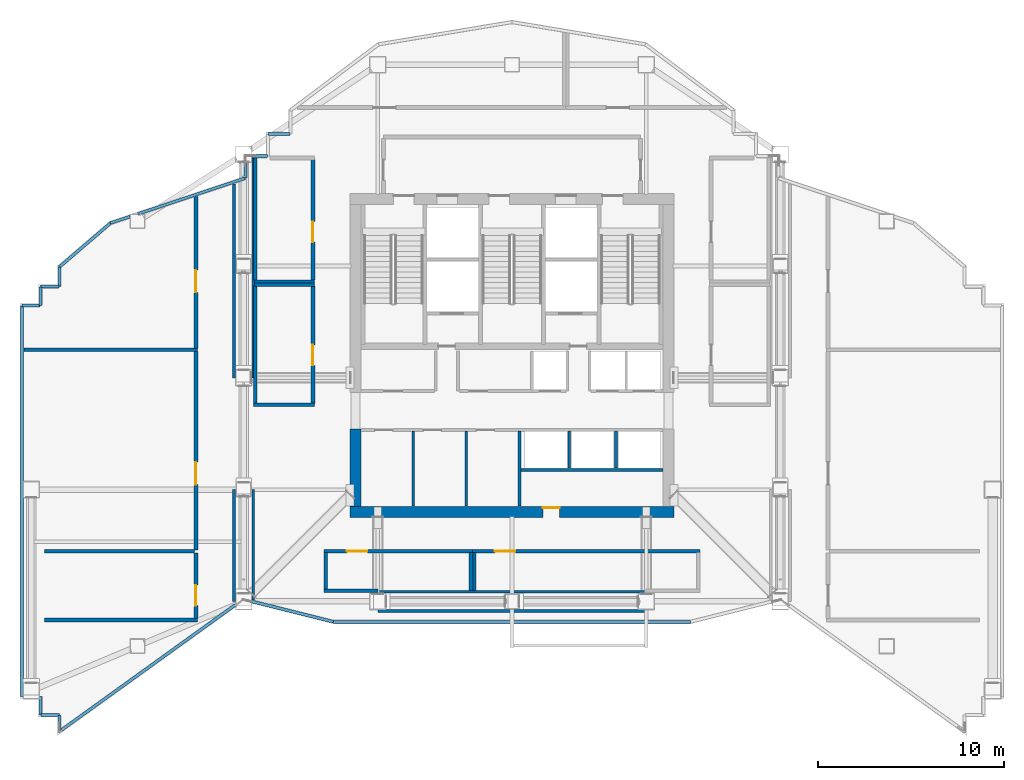
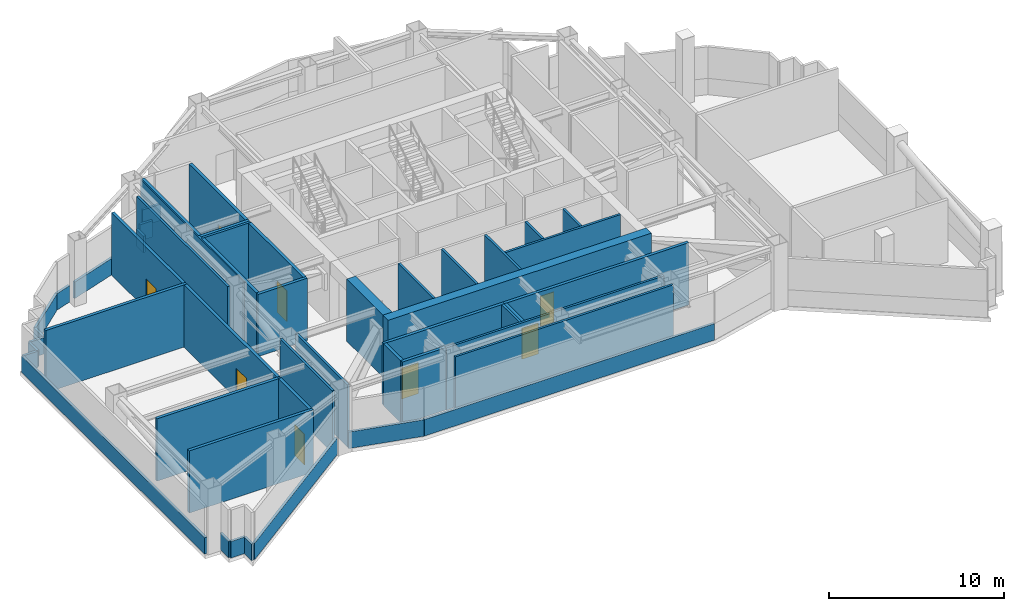
# One storey, part 12 of 19: 50 walls, 8 doors, 8 openings.
"""IFC4 building model written with IfcOpenShell, lengths in metres."""

from ifc_helpers import new_model, si_unit, direction, frame, frame_2d, origin, place, context, subcontext, project, spatial, rectangle, extrude, material, layer, layer_set, type_object, element, fill, save


model = new_model("IFC4")

# Units and contexts
model_context = context("Model", 3, precision=1e-05, world=origin(), true_north=direction((0.0, 1.0)))
body_context = subcontext(model_context, "Body", "Model", "MODEL_VIEW")
ifc_project = project(units=[si_unit("LENGTHUNIT", "METRE"), si_unit("AREAUNIT", "SQUARE_METRE"), si_unit("VOLUMEUNIT", "CUBIC_METRE"), si_unit("PLANEANGLEUNIT", "RADIAN"), si_unit("MASSUNIT", "GRAM", prefix="KILO")], contexts=[model_context])

# Site, building, storey
site_placement = place(None, origin())
site = spatial("IfcSite", under=ifc_project, at=site_placement, CompositionType="ELEMENT")
building_placement = place(site_placement, origin())
building = spatial("IfcBuilding", under=site, at=building_placement, Name="Haolan Belvedere Tower", CompositionType="ELEMENT")
storey_placement = place(building_placement, frame((0.0, 0.0, 230.60009765625)))
storey = spatial("IfcBuildingStorey", under=building, at=storey_placement, Name="L58", CompositionType="ELEMENT", Elevation=230.60009765625)

# Wall, opening, door
ifc_material_1 = material(Name="Concrete C60/75", Category="concrete")
ifc_layer_1 = layer(ifc_material_1, 0.60009765625, Name="Concrete C60/75")
ifc_layer_set_1 = layer_set([ifc_layer_1], Name="Concrete C60/75")
wall_type_1 = type_object("IfcWallType", Name="WL-CORE-600", PredefinedType="SHEAR", material=ifc_layer_set_1)
wall_1_placement = place(storey_placement, frame((29.699951171875, 26.39990234375, 0.0), z_axis=(0.0, 0.0, 1.0), x_axis=(1.0, 0.0, 0.0)))
wall_1 = element("IfcWall", 1, at=wall_1_placement, inside=storey, type_object=wall_type_1, Name="L58 central core south shear wall", PredefinedType="SHEAR", context=body_context, shape_type="SweptSolid", body=[
    extrude(rectangle(XDim=17.400146484375, YDim=0.60009765625, at=frame_2d((8.7001953125, 0.0))), origin(), (0.0, 0.0, 1.0), 4.349853515625),
])
opening_1_placement = place(wall_1_placement, frame((11.25, 0.0, 0.0), z_axis=(0.0, 0.0, 1.0), x_axis=(-1.0, 0.0, 0.0)))
opening_1 = element("IfcOpeningElement", 2, at=opening_1_placement, cuts=wall_1, Name="Opening FD-05", PredefinedType="OPENING", context=body_context, shape_type="SweptSolid", body=[
    extrude(rectangle(XDim=0.89990234375, YDim=2.10009765625, at=frame_2d((0.449951171875, 1.050048828125))), frame((0.0, 0.31005859375, 0.0), z_axis=(0.0, -1.0, 0.0), x_axis=(1.0, 0.0, 0.0)), (0.0, 0.0, 1.0), 0.6201171875),
])
ifc_material_2 = material(Name="Galvanised fire-rated steel", Category="steel")
door_type_1 = type_object("IfcDoorType", Name="DR-FD60-900", OperationType="NOTDEFINED", PredefinedType="DOOR", material=ifc_material_2)
door_1_placement = place(opening_1_placement, origin())
door_1 = element("IfcDoor", 3, at=door_1_placement, inside=storey, type_object=door_type_1, Name="L58 door CD-L58-SCVE", OperationType="SINGLE_SWING_RIGHT", OverallHeight=2.10009765625, OverallWidth=0.89990234375, PredefinedType="DOOR", context=body_context, shape_type="SweptSolid", body=[
    extrude(rectangle(XDim=0.89990234375, YDim=2.10009765625, at=frame_2d((0.449951171875, 1.050048828125))), frame((0.0, -0.19482421875, 0.0), z_axis=(0.0, -1.0, 0.0), x_axis=(1.0, 0.0, 0.0)), (0.0, 0.0, 1.0), 0.050048828125),
])
fill(opening_1, door_1)

# Walls
wall_2_placement = place(storey_placement, frame((30.0, 26.699951171875, 0.0), z_axis=(0.0, 0.0, 1.0), x_axis=(0.0, 1.0, 0.0)))
element("IfcWall", 4, at=wall_2_placement, inside=storey, type_object=wall_type_1, Name="L58 central core shear wall WS", PredefinedType="SHEAR", context=body_context, shape_type="SweptSolid", body=[
    extrude(rectangle(XDim=4.150146484375, YDim=0.60009765625, at=frame_2d((2.0751953125, 0.0))), origin(), (0.0, 0.0, 1.0), 4.349853515625),
])
ifc_material_3 = material(Name="Concrete C40/50", Category="concrete")
ifc_layer_2 = layer(ifc_material_3, 0.199951171875, Name="Concrete C40/50")
ifc_layer_set_2 = layer_set([ifc_layer_2], Name="Concrete C40/50")
wall_type_2 = type_object("IfcWallType", Name="WL-FIRE-200", PredefinedType="SOLIDWALL", material=ifc_layer_set_2)
wall_3_placement = place(storey_placement, frame((12.2119140625, 35.10009765625, 0.0), z_axis=(0.0, 0.0, 1.0), x_axis=(1.0, 0.0, 0.0)))
element("IfcWall", 5, at=wall_3_placement, inside=storey, type_object=wall_type_2, Name="L58 interior partition IW-L58-REF-W1-N", PredefinedType="SOLIDWALL", context=body_context, shape_type="SweptSolid", body=[
    extrude(rectangle(XDim=9.30810546875, YDim=0.199951171875, at=frame_2d((4.654052734375, 0.0))), origin(), (0.0, 0.0, 1.0), 4.349853515625),
])

# Wall, opening, door
wall_4_placement = place(storey_placement, frame((21.43994140625, 24.3701171875, 0.0), z_axis=(0.0, 0.0, 1.0), x_axis=(0.0, 1.0, 0.0)))
wall_4 = element("IfcWall", 6, at=wall_4_placement, inside=storey, type_object=wall_type_2, Name="L58 interior partition IW-L58-REF-W1-E", PredefinedType="SOLIDWALL", context=body_context, shape_type="SweptSolid", body=[
    extrude(rectangle(XDim=10.644775390625, YDim=0.199951171875, at=frame_2d((5.322265625, 0.0))), origin(), (0.0, 0.0, 1.0), 4.349853515625),
])
opening_2_placement = place(wall_4_placement, frame((4.699951171875, 0.0, 0.0), z_axis=(0.0, 0.0, 1.0), x_axis=(-1.0, 0.0, 0.0)))
opening_2 = element("IfcOpeningElement", 7, at=opening_2_placement, cuts=wall_4, Name="Opening FD-02", PredefinedType="OPENING", context=body_context, shape_type="SweptSolid", body=[
    extrude(rectangle(XDim=1.199951171875, YDim=2.14990234375, at=frame_2d((0.60009765625, 1.074951171875))), frame((0.0, 0.10986328125, 0.0), z_axis=(0.0, -1.0, 0.0), x_axis=(1.0, 0.0, 0.0)), (0.0, 0.0, 1.0), 0.219970703125),
])
door_type_2 = type_object("IfcDoorType", Name="DR-FD90-1200", OperationType="NOTDEFINED", PredefinedType="DOOR", material=ifc_material_2)
door_2_placement = place(opening_2_placement, origin())
door_2 = element("IfcDoor", 8, at=door_2_placement, inside=storey, type_object=door_type_2, Name="L58 door ID-L58-REF-W1", OperationType="SINGLE_SWING_LEFT", OverallHeight=2.14990234375, OverallWidth=1.199951171875, PredefinedType="DOOR", context=body_context, shape_type="SweptSolid", body=[
    extrude(rectangle(XDim=1.199951171875, YDim=2.14990234375, at=frame_2d((0.60009765625, 1.074951171875))), frame((0.0, 0.02490234375, 0.0), z_axis=(0.0, -1.0, 0.0), x_axis=(1.0, 0.0, 0.0)), (0.0, 0.0, 1.0), 0.050048828125),
])
fill(opening_2, door_2)

wall_5_placement = place(storey_placement, frame((21.43994140625, 35.18505859375, 0.0), z_axis=(0.0, 0.0, 1.0), x_axis=(0.0, 1.0, 0.0)))
wall_5 = element("IfcWall", 9, at=wall_5_placement, inside=storey, type_object=wall_type_2, Name="L58 interior partition IW-L58-REF-W2-E", PredefinedType="SOLIDWALL", context=body_context, shape_type="SweptSolid", body=[
    extrude(rectangle(XDim=8.13818359375, YDim=0.199951171875, at=frame_2d((4.069091796875, 0.0))), origin(), (0.0, 0.0, 1.0), 4.349853515625),
])
opening_3_placement = place(wall_5_placement, frame((4.195068359375, 0.0, 0.0), z_axis=(0.0, 0.0, 1.0), x_axis=(-1.0, 0.0, 0.0)))
opening_3 = element("IfcOpeningElement", 10, at=opening_3_placement, cuts=wall_5, Name="Opening FD-02", PredefinedType="OPENING", context=body_context, shape_type="SweptSolid", body=[
    extrude(rectangle(XDim=1.199951171875, YDim=2.14990234375, at=frame_2d((0.60009765625, 1.074951171875))), frame((0.0, 0.10986328125, 0.0), z_axis=(0.0, -1.0, 0.0), x_axis=(1.0, 0.0, 0.0)), (0.0, 0.0, 1.0), 0.219970703125),
])
door_3_placement = place(opening_3_placement, origin())
door_3 = element("IfcDoor", 11, at=door_3_placement, inside=storey, type_object=door_type_2, Name="L58 door ID-L58-REF-W2", OperationType="SINGLE_SWING_RIGHT", OverallHeight=2.14990234375, OverallWidth=1.199951171875, PredefinedType="DOOR", context=body_context, shape_type="SweptSolid", body=[
    extrude(rectangle(XDim=1.199951171875, YDim=2.14990234375, at=frame_2d((0.60009765625, 1.074951171875))), frame((0.0, 0.02490234375, 0.0), z_axis=(0.0, -1.0, 0.0), x_axis=(1.0, 0.0, 0.0)), (0.0, 0.0, 1.0), 0.050048828125),
])
fill(opening_3, door_3)

# Walls
wall_6_placement = place(storey_placement, frame((24.580078125, 38.60009765625, 0.0), z_axis=(0.0, 0.0, 1.0), x_axis=(1.0, 0.0, 0.0)))
element("IfcWall", 12, at=wall_6_placement, inside=storey, type_object=wall_type_2, Name="L58 interior partition IW-L58-REF-WI1-N", PredefinedType="SOLIDWALL", context=body_context, shape_type="SweptSolid", body=[
    extrude(rectangle(XDim=3.219970703125, YDim=0.199951171875, at=frame_2d((1.60986328125, 0.0))), origin(), (0.0, 0.0, 1.0), 4.349853515625),
])
wall_7_placement = place(storey_placement, frame((24.5400390625, 32.14990234375, 0.0), z_axis=(0.0, 0.0, 1.0), x_axis=(1.0, 0.0, 0.0)))
element("IfcWall", 13, at=wall_7_placement, inside=storey, type_object=wall_type_2, Name="L58 interior partition IW-L58-REF-WI1-S", PredefinedType="SOLIDWALL", context=body_context, shape_type="SweptSolid", body=[
    extrude(rectangle(XDim=3.260009765625, YDim=0.199951171875, at=frame_2d((1.6298828125, 0.0))), origin(), (0.0, 0.0, 1.0), 4.349853515625),
])
wall_8_placement = place(storey_placement, frame((24.6201171875, 32.235107421875, 0.0), z_axis=(0.0, 0.0, 1.0), x_axis=(0.0, 1.0, 0.0)))
element("IfcWall", 14, at=wall_8_placement, inside=storey, type_object=wall_type_2, Name="L58 interior partition IW-L58-REF-WI1-W", PredefinedType="SOLIDWALL", context=body_context, shape_type="SweptSolid", body=[
    extrude(rectangle(XDim=6.27978515625, YDim=0.199951171875, at=frame_2d((3.139892578125, 0.0))), origin(), (0.0, 0.0, 1.0), 4.349853515625),
])

# Wall, opening, door
wall_9_placement = place(storey_placement, frame((27.719970703125, 32.235107421875, 0.0), z_axis=(0.0, 0.0, 1.0), x_axis=(0.0, 1.0, 0.0)))
wall_9 = element("IfcWall", 15, at=wall_9_placement, inside=storey, type_object=wall_type_2, Name="L58 interior partition IW-L58-REF-WI1-E", PredefinedType="SOLIDWALL", context=body_context, shape_type="SweptSolid", body=[
    extrude(rectangle(XDim=6.27978515625, YDim=0.199951171875, at=frame_2d((3.139892578125, 0.0))), origin(), (0.0, 0.0, 1.0), 4.349853515625),
])
opening_4_placement = place(wall_9_placement, frame((3.135009765625, 0.0, 0.0), z_axis=(0.0, 0.0, 1.0), x_axis=(-1.0, 0.0, 0.0)))
opening_4 = element("IfcOpeningElement", 16, at=opening_4_placement, cuts=wall_9, Name="Opening FD-03", PredefinedType="OPENING", context=body_context, shape_type="SweptSolid", body=[
    extrude(rectangle(XDim=1.10009765625, YDim=2.14990234375, at=frame_2d((0.550048828125, 1.074951171875))), frame((0.0, 0.10986328125, 0.0), z_axis=(0.0, -1.0, 0.0), x_axis=(1.0, 0.0, 0.0)), (0.0, 0.0, 1.0), 0.219970703125),
])
door_type_3 = type_object("IfcDoorType", Name="DR-FD90-1100", OperationType="NOTDEFINED", PredefinedType="DOOR", material=ifc_material_2)
door_4_placement = place(opening_4_placement, origin())
door_4 = element("IfcDoor", 17, at=door_4_placement, inside=storey, type_object=door_type_3, Name="L58 door ID-L58-REF-WI1", OperationType="SINGLE_SWING_LEFT", OverallHeight=2.14990234375, OverallWidth=1.10009765625, PredefinedType="DOOR", context=body_context, shape_type="SweptSolid", body=[
    extrude(rectangle(XDim=1.10009765625, YDim=2.14990234375, at=frame_2d((0.550048828125, 1.074951171875))), frame((0.0, 0.02490234375, 0.0), z_axis=(0.0, -1.0, 0.0), x_axis=(1.0, 0.0, 0.0)), (0.0, 0.0, 1.0), 0.050048828125),
])
fill(opening_4, door_4)

# Walls
wall_10_placement = place(storey_placement, frame((24.580078125, 38.760009765625, 0.0), z_axis=(0.0, 0.0, 1.0), x_axis=(1.0, 0.0, 0.0)))
element("IfcWall", 18, at=wall_10_placement, inside=storey, type_object=wall_type_2, Name="L58 interior partition IW-L58-REF-WI2-S", PredefinedType="SOLIDWALL", context=body_context, shape_type="SweptSolid", body=[
    extrude(rectangle(XDim=3.219970703125, YDim=0.199951171875, at=frame_2d((1.60986328125, 0.0))), origin(), (0.0, 0.0, 1.0), 4.349853515625),
])
wall_11_placement = place(storey_placement, frame((24.6201171875, 38.844970703125, 0.0), z_axis=(0.0, 0.0, 1.0), x_axis=(0.0, 1.0, 0.0)))
element("IfcWall", 19, at=wall_11_placement, inside=storey, type_object=wall_type_2, Name="L58 interior partition IW-L58-REF-WI2-W", PredefinedType="SOLIDWALL", context=body_context, shape_type="SweptSolid", body=[
    extrude(rectangle(XDim=6.54296875, YDim=0.199951171875, at=frame_2d((3.271484375, 0.0))), origin(), (0.0, 0.0, 1.0), 4.349853515625),
])

# Wall, opening, door
wall_12_placement = place(storey_placement, frame((27.719970703125, 38.844970703125, 0.0), z_axis=(0.0, 0.0, 1.0), x_axis=(0.0, 1.0, 0.0)))
wall_12 = element("IfcWall", 20, at=wall_12_placement, inside=storey, type_object=wall_type_2, Name="L58 interior partition IW-L58-REF-WI2-E", PredefinedType="SOLIDWALL", context=body_context, shape_type="SweptSolid", body=[
    extrude(rectangle(XDim=6.469970703125, YDim=0.199951171875, at=frame_2d((3.23486328125, 0.0))), origin(), (0.0, 0.0, 1.0), 4.349853515625),
])
opening_5_placement = place(wall_12_placement, frame((3.135009765625, 0.0, 0.0), z_axis=(0.0, 0.0, 1.0), x_axis=(-1.0, 0.0, 0.0)))
opening_5 = element("IfcOpeningElement", 21, at=opening_5_placement, cuts=wall_12, Name="Opening FD-03", PredefinedType="OPENING", context=body_context, shape_type="SweptSolid", body=[
    extrude(rectangle(XDim=1.10009765625, YDim=2.14990234375, at=frame_2d((0.550048828125, 1.074951171875))), frame((0.0, 0.10986328125, 0.0), z_axis=(0.0, -1.0, 0.0), x_axis=(1.0, 0.0, 0.0)), (0.0, 0.0, 1.0), 0.219970703125),
])
door_5_placement = place(opening_5_placement, origin())
door_5 = element("IfcDoor", 22, at=door_5_placement, inside=storey, type_object=door_type_3, Name="L58 door ID-L58-REF-WI2", OperationType="SINGLE_SWING_RIGHT", OverallHeight=2.14990234375, OverallWidth=1.10009765625, PredefinedType="DOOR", context=body_context, shape_type="SweptSolid", body=[
    extrude(rectangle(XDim=1.10009765625, YDim=2.14990234375, at=frame_2d((0.550048828125, 1.074951171875))), frame((0.0, 0.02490234375, 0.0), z_axis=(0.0, -1.0, 0.0), x_axis=(1.0, 0.0, 0.0)), (0.0, 0.0, 1.0), 0.050048828125),
])
fill(opening_5, door_5)

wall_13_placement = place(storey_placement, frame((28.320068359375, 24.300048828125, 0.0), z_axis=(0.0, 0.0, 1.0), x_axis=(1.0, 0.0, 0.0)))
wall_13 = element("IfcWall", 23, at=wall_13_placement, inside=storey, type_object=wall_type_2, Name="L58 interior partition IW-L58-PLT-AHU-N", PredefinedType="SOLIDWALL", context=body_context, shape_type="SweptSolid", body=[
    extrude(rectangle(XDim=7.9599609375, YDim=0.199951171875, at=frame_2d((3.97998046875, 0.0))), origin(), (0.0, 0.0, 1.0), 4.349853515625),
])
opening_6_placement = place(wall_13_placement, frame((2.320556640625, 0.0, 0.0), z_axis=(0.0, 0.0, 1.0), x_axis=(-1.0, 0.0, 0.0)))
opening_6 = element("IfcOpeningElement", 24, at=opening_6_placement, cuts=wall_13, Name="Opening FD-03", PredefinedType="OPENING", context=body_context, shape_type="SweptSolid", body=[
    extrude(rectangle(XDim=1.10009765625, YDim=2.14990234375, at=frame_2d((0.550048828125, 1.074951171875))), frame((0.0, 0.10986328125, 0.0), z_axis=(0.0, -1.0, 0.0), x_axis=(1.0, 0.0, 0.0)), (0.0, 0.0, 1.0), 0.219970703125),
])
door_6_placement = place(opening_6_placement, origin())
door_6 = element("IfcDoor", 25, at=door_6_placement, inside=storey, type_object=door_type_3, Name="L58 door ID-L58-PLT-AHU", OperationType="SINGLE_SWING_LEFT", OverallHeight=2.14990234375, OverallWidth=1.10009765625, PredefinedType="DOOR", context=body_context, shape_type="SweptSolid", body=[
    extrude(rectangle(XDim=1.10009765625, YDim=2.14990234375, at=frame_2d((0.550048828125, 1.074951171875))), frame((0.0, 0.02490234375, 0.0), z_axis=(0.0, -1.0, 0.0), x_axis=(1.0, 0.0, 0.0)), (0.0, 0.0, 1.0), 0.050048828125),
])
fill(opening_6, door_6)

# Walls
wall_14_placement = place(storey_placement, frame((28.320068359375, 22.179931640625, 0.0), z_axis=(0.0, 0.0, 1.0), x_axis=(1.0, 0.0, 0.0)))
element("IfcWall", 26, at=wall_14_placement, inside=storey, type_object=wall_type_2, Name="L58 interior partition IW-L58-PLT-AHU-S", PredefinedType="SOLIDWALL", context=body_context, shape_type="SweptSolid", body=[
    extrude(rectangle(XDim=2.8779296875, YDim=0.199951171875, at=frame_2d((1.43896484375, 0.0))), origin(), (0.0, 0.0, 1.0), 4.349853515625),
])
wall_15_placement = place(storey_placement, frame((28.39990234375, 22.264892578125, 0.0), z_axis=(0.0, 0.0, 1.0), x_axis=(0.0, 1.0, 0.0)))
element("IfcWall", 27, at=wall_15_placement, inside=storey, type_object=wall_type_2, Name="L58 interior partition IW-L58-PLT-AHU-W", PredefinedType="SOLIDWALL", context=body_context, shape_type="SweptSolid", body=[
    extrude(rectangle(XDim=1.9501953125, YDim=0.199951171875, at=frame_2d((0.97509765625, 0.0))), origin(), (0.0, 0.0, 1.0), 4.349853515625),
])
wall_16_placement = place(storey_placement, frame((36.199951171875, 22.179931640625, 0.0), z_axis=(0.0, 0.0, 1.0), x_axis=(0.0, 1.0, 0.0)))
element("IfcWall", 28, at=wall_16_placement, inside=storey, type_object=wall_type_2, Name="L58 interior partition IW-L58-PLT-AHU-E", PredefinedType="SOLIDWALL", context=body_context, shape_type="SweptSolid", body=[
    extrude(rectangle(XDim=2.03515625, YDim=0.199951171875, at=frame_2d((1.017578125, 0.0))), origin(), (0.0, 0.0, 1.0), 4.349853515625),
])

# Wall, opening, door
wall_17_placement = place(storey_placement, frame((36.284912109375, 24.300048828125, 0.0), z_axis=(0.0, 0.0, 1.0), x_axis=(1.0, 0.0, 0.0)))
wall_17 = element("IfcWall", 29, at=wall_17_placement, inside=storey, type_object=wall_type_2, Name="L58 interior partition IW-L58-PLT-CHW-N", PredefinedType="SOLIDWALL", context=body_context, shape_type="SweptSolid", body=[
    extrude(rectangle(XDim=12.195068359375, YDim=0.199951171875, at=frame_2d((6.09765625, 0.0))), origin(), (0.0, 0.0, 1.0), 4.349853515625),
])
opening_7_placement = place(wall_17_placement, frame((2.295166015625, 0.0, 0.0), z_axis=(0.0, 0.0, 1.0), x_axis=(-1.0, 0.0, 0.0)))
opening_7 = element("IfcOpeningElement", 30, at=opening_7_placement, cuts=wall_17, Name="Opening FD-03", PredefinedType="OPENING", context=body_context, shape_type="SweptSolid", body=[
    extrude(rectangle(XDim=1.10009765625, YDim=2.14990234375, at=frame_2d((0.550048828125, 1.074951171875))), frame((0.0, 0.10986328125, 0.0), z_axis=(0.0, -1.0, 0.0), x_axis=(1.0, 0.0, 0.0)), (0.0, 0.0, 1.0), 0.219970703125),
])
door_7_placement = place(opening_7_placement, origin())
door_7 = element("IfcDoor", 31, at=door_7_placement, inside=storey, type_object=door_type_3, Name="L58 door ID-L58-PLT-CHW", OperationType="SINGLE_SWING_RIGHT", OverallHeight=2.14990234375, OverallWidth=1.10009765625, PredefinedType="DOOR", context=body_context, shape_type="SweptSolid", body=[
    extrude(rectangle(XDim=1.10009765625, YDim=2.14990234375, at=frame_2d((0.550048828125, 1.074951171875))), frame((0.0, 0.02490234375, 0.0), z_axis=(0.0, -1.0, 0.0), x_axis=(1.0, 0.0, 0.0)), (0.0, 0.0, 1.0), 0.050048828125),
])
fill(opening_7, door_7)

# Walls
wall_18_placement = place(storey_placement, frame((36.360107421875, 22.179931640625, 0.0), z_axis=(0.0, 0.0, 1.0), x_axis=(0.0, 1.0, 0.0)))
element("IfcWall", 32, at=wall_18_placement, inside=storey, type_object=wall_type_2, Name="L58 interior partition IW-L58-PLT-CHW-W", PredefinedType="SOLIDWALL", context=body_context, shape_type="SweptSolid", body=[
    extrude(rectangle(XDim=2.03515625, YDim=0.199951171875, at=frame_2d((1.017578125, 0.0))), origin(), (0.0, 0.0, 1.0), 4.349853515625),
])
wall_19_placement = place(storey_placement, frame((13.320068359375, 24.2900390625, 0.0), z_axis=(0.0, 0.0, 1.0), x_axis=(1.0, 0.0, 0.0)))
element("IfcWall", 33, at=wall_19_placement, inside=storey, type_object=wall_type_2, Name="L58 interior partition IW-L58-PLT-SUB-N", PredefinedType="SOLIDWALL", context=body_context, shape_type="SweptSolid", body=[
    extrude(rectangle(XDim=8.034912109375, YDim=0.199951171875, at=frame_2d((4.017578125, 0.0))), origin(), (0.0, 0.0, 1.0), 4.349853515625),
])
wall_20_placement = place(storey_placement, frame((13.320068359375, 20.60009765625, 0.0), z_axis=(0.0, 0.0, 1.0), x_axis=(1.0, 0.0, 0.0)))
element("IfcWall", 34, at=wall_20_placement, inside=storey, type_object=wall_type_2, Name="L58 interior partition IW-L58-PLT-SUB-S", PredefinedType="SOLIDWALL", context=body_context, shape_type="SweptSolid", body=[
    extrude(rectangle(XDim=8.199951171875, YDim=0.199951171875, at=frame_2d((4.10009765625, 0.0))), origin(), (0.0, 0.0, 1.0), 4.349853515625),
])

# Wall, opening, door
wall_21_placement = place(storey_placement, frame((21.43994140625, 20.68505859375, 0.0), z_axis=(0.0, 0.0, 1.0), x_axis=(0.0, 1.0, 0.0)))
wall_21 = element("IfcWall", 35, at=wall_21_placement, inside=storey, type_object=wall_type_2, Name="L58 interior partition IW-L58-PLT-SUB-E", PredefinedType="SOLIDWALL", context=body_context, shape_type="SweptSolid", body=[
    extrude(rectangle(XDim=3.52001953125, YDim=0.199951171875, at=frame_2d((1.760009765625, 0.0))), origin(), (0.0, 0.0, 1.0), 4.349853515625),
])
opening_8_placement = place(wall_21_placement, frame((1.78515625, 0.0, 0.0), z_axis=(0.0, 0.0, 1.0), x_axis=(-1.0, 0.0, 0.0)))
opening_8 = element("IfcOpeningElement", 36, at=opening_8_placement, cuts=wall_21, Name="Opening FD-03", PredefinedType="OPENING", context=body_context, shape_type="SweptSolid", body=[
    extrude(rectangle(XDim=1.10009765625, YDim=2.14990234375, at=frame_2d((0.550048828125, 1.074951171875))), frame((0.0, 0.10986328125, 0.0), z_axis=(0.0, -1.0, 0.0), x_axis=(1.0, 0.0, 0.0)), (0.0, 0.0, 1.0), 0.219970703125),
])
door_8_placement = place(opening_8_placement, origin())
door_8 = element("IfcDoor", 37, at=door_8_placement, inside=storey, type_object=door_type_3, Name="L58 door ID-L58-PLT-SUB", OperationType="SINGLE_SWING_RIGHT", OverallHeight=2.14990234375, OverallWidth=1.10009765625, PredefinedType="DOOR", context=body_context, shape_type="SweptSolid", body=[
    extrude(rectangle(XDim=1.10009765625, YDim=2.14990234375, at=frame_2d((0.550048828125, 1.074951171875))), frame((0.0, 0.02490234375, 0.0), z_axis=(0.0, -1.0, 0.0), x_axis=(1.0, 0.0, 0.0)), (0.0, 0.0, 1.0), 0.050048828125),
])
fill(opening_8, door_8)

# Walls
ifc_material_4 = material(Name="Precast concrete C40/50", Category="concrete")
ifc_layer_3 = layer(ifc_material_4, 0.159912109375, Name="Precast concrete C40/50")
ifc_layer_set_3 = layer_set([ifc_layer_3], Name="Precast concrete C40/50")
wall_type_3 = type_object("IfcWallType", Name="WL-PAR-160", PredefinedType="PARAPET", material=ifc_layer_set_3)
wall_22_placement = place(storey_placement, frame((28.8134765625, 20.510009765625, 0.0), z_axis=(0.0, 0.0, 1.0), x_axis=(1.0, 0.0, 0.0)))
element("IfcWall", 38, at=wall_22_placement, inside=storey, type_object=wall_type_3, Name="L58 refuge open-band parapet 1.1", PredefinedType="PARAPET", context=body_context, shape_type="SweptSolid", body=[
    extrude(rectangle(XDim=19.173095703125, YDim=0.159912109375, at=frame_2d((9.58642578125, 0.0))), origin(), (0.0, 0.0, 1.0), 1.14990234375),
])
wall_23_placement = place(storey_placement, frame((26.47998046875, 46.68994140625, 0.0), z_axis=(0.0, 0.0, 1.0), x_axis=(-1.0, 0.0, 0.0)))
element("IfcWall", 39, at=wall_23_placement, inside=storey, type_object=wall_type_3, Name="L58 refuge open-band parapet 25.1", PredefinedType="PARAPET", context=body_context, shape_type="SweptSolid", body=[
    extrude(rectangle(XDim=1.169921875, YDim=0.159912109375, at=frame_2d((0.5849609375, 0.0))), origin(), (0.0, 0.0, 1.0), 1.14990234375),
])
wall_24_placement = place(storey_placement, frame((25.280029296875, 45.489990234375, 0.0), z_axis=(0.0, 0.0, 1.0), x_axis=(-1.0, 0.0, 0.0)))
element("IfcWall", 40, at=wall_24_placement, inside=storey, type_object=wall_type_3, Name="L58 refuge open-band parapet 27.1", PredefinedType="PARAPET", context=body_context, shape_type="SweptSolid", body=[
    extrude(rectangle(XDim=0.838134765625, YDim=0.159912109375, at=frame_2d((0.4189453125, 0.0))), origin(), (0.0, 0.0, 1.0), 1.14990234375),
])
wall_25_placement = place(storey_placement, frame((24.110107421875, 45.157958984375, 0.0), z_axis=(0.0, 0.0, 1.0), x_axis=(0.0, -1.0, 0.0)))
element("IfcWall", 41, at=wall_25_placement, inside=storey, type_object=wall_type_3, Name="L58 refuge open-band parapet 28.1", PredefinedType="PARAPET", context=body_context, shape_type="SweptSolid", body=[
    extrude(rectangle(XDim=0.837158203125, YDim=0.159912109375, at=frame_2d((0.41845703125, 0.0))), origin(), (0.0, 0.0, 1.0), 1.14990234375),
])
wall_26_placement = place(storey_placement, frame((24.08154296875, 44.311279296875, 0.0), z_axis=(0.0, 0.0, 1.0), x_axis=(-0.948687320562, -0.316215698225, 0.0)))
element("IfcWall", 42, at=wall_26_placement, inside=storey, type_object=wall_type_3, Name="L58 refuge open-band parapet 29.1", PredefinedType="PARAPET", context=body_context, shape_type="SweptSolid", body=[
    extrude(rectangle(XDim=6.0693359375, YDim=0.159912109375, at=frame_2d((3.03466796875, 0.0))), origin(), (0.0, 0.0, 1.0), 1.14990234375),
])
wall_27_placement = place(storey_placement, frame((17.907958984375, 42.25341796875, 0.0), z_axis=(0.0, 0.0, 1.0), x_axis=(-0.948705297269, -0.316161760709, 0.0)))
element("IfcWall", 43, at=wall_27_placement, inside=storey, type_object=wall_type_3, Name="L58 refuge open-band parapet 29.2", PredefinedType="PARAPET", context=body_context, shape_type="SweptSolid", body=[
    extrude(rectangle(XDim=1.109619140625, YDim=0.159912109375, at=frame_2d((0.5546875, 0.0))), origin(), (0.0, 0.0, 1.0), 1.14990234375),
])
wall_28_placement = place(storey_placement, frame((16.855224609375, 41.902587890625, 0.0), z_axis=(0.0, 0.0, 1.0), x_axis=(-0.759213704594, -0.650841417518, 0.0)))
element("IfcWall", 44, at=wall_28_placement, inside=storey, type_object=wall_type_3, Name="L58 refuge open-band parapet 30.1", PredefinedType="PARAPET", context=body_context, shape_type="SweptSolid", body=[
    extrude(rectangle(XDim=3.61572265625, YDim=0.159912109375, at=frame_2d((1.807861328125, 0.0))), origin(), (0.0, 0.0, 1.0), 1.14990234375),
])
wall_29_placement = place(storey_placement, frame((14.110107421875, 39.54931640625, 0.0), z_axis=(0.0, 0.0, 1.0), x_axis=(0.0, -1.0, 0.0)))
element("IfcWall", 45, at=wall_29_placement, inside=storey, type_object=wall_type_3, Name="L58 refuge open-band parapet 31.1", PredefinedType="PARAPET", context=body_context, shape_type="SweptSolid", body=[
    extrude(rectangle(XDim=1.059326171875, YDim=0.159912109375, at=frame_2d((0.52978515625, 0.0))), origin(), (0.0, 0.0, 1.0), 1.14990234375),
])
for number, where, z_axis, x_axis, name in (
    (46, (14.080078125, 38.489990234375, 0.0), (0.0, 0.0, 1.0), (-1.0, 0.0, 0.0), "L58 refuge open-band parapet 32.1"),
    (47, (13.110107421875, 38.4599609375, 0.0), (0.0, 0.0, 1.0), (0.0, -1.0, 0.0), "L58 refuge open-band parapet 33.1"),
    (48, (13.080078125, 37.489990234375, 0.0), (0.0, 0.0, 1.0), (-1.0, 0.0, 0.0), "L58 refuge open-band parapet 34.1"),
):
    element("IfcWall", number, at=place(storey_placement, frame(where, z_axis=z_axis, x_axis=x_axis)), inside=storey, type_object=wall_type_3, Name=name, PredefinedType="PARAPET", context=body_context, shape_type="SweptSolid", body=[
        extrude(rectangle(XDim=0.969970703125, YDim=0.159912109375, at=frame_2d((0.48486328125, 0.0))), origin(), (0.0, 0.0, 1.0), 1.14990234375),
    ])
wall_30_placement = place(storey_placement, frame((12.110107421875, 37.4599609375, 0.0), z_axis=(0.0, 0.0, 1.0), x_axis=(0.0, -1.0, 0.0)))
element("IfcWall", 49, at=wall_30_placement, inside=storey, type_object=wall_type_3, Name="L58 refuge open-band parapet 35.1", PredefinedType="PARAPET", context=body_context, shape_type="SweptSolid", body=[
    extrude(rectangle(XDim=20.949951171875, YDim=0.159912109375, at=frame_2d((10.47509765625, 0.0))), origin(), (0.0, 0.0, 1.0), 1.14990234375),
])
wall_31_placement = place(storey_placement, frame((13.110107421875, 16.510009765625, 0.0), z_axis=(0.0, 0.0, 1.0), x_axis=(0.0, -1.0, 0.0)))
element("IfcWall", 50, at=wall_31_placement, inside=storey, type_object=wall_type_3, Name="L58 refuge open-band parapet 37.1", PredefinedType="PARAPET", context=body_context, shape_type="SweptSolid", body=[
    extrude(rectangle(XDim=1.0, YDim=0.159912109375, at=frame_2d((0.5, 0.0))), origin(), (0.0, 0.0, 1.0), 1.14990234375),
])
wall_32_placement = place(storey_placement, frame((13.139892578125, 15.510009765625, 0.0), z_axis=(0.0, 0.0, 1.0), x_axis=(1.0, 0.0, 0.0)))
element("IfcWall", 51, at=wall_32_placement, inside=storey, type_object=wall_type_3, Name="L58 refuge open-band parapet 38.1", PredefinedType="PARAPET", context=body_context, shape_type="SweptSolid", body=[
    extrude(rectangle(XDim=0.97021484375, YDim=0.159912109375, at=frame_2d((0.485107421875, 0.0))), origin(), (0.0, 0.0, 1.0), 1.14990234375),
])
wall_33_placement = place(storey_placement, frame((14.110107421875, 15.47998046875, 0.0), z_axis=(0.0, 0.0, 1.0), x_axis=(0.0, -1.0, 0.0)))
element("IfcWall", 52, at=wall_33_placement, inside=storey, type_object=wall_type_3, Name="L58 refuge open-band parapet 39.1", PredefinedType="PARAPET", context=body_context, shape_type="SweptSolid", body=[
    extrude(rectangle(XDim=0.865234375, YDim=0.159912109375, at=frame_2d((0.4326171875, 0.0))), origin(), (0.0, 0.0, 1.0), 1.14990234375),
])
wall_34_placement = place(storey_placement, frame((14.18310546875, 14.667236328125, 0.0), z_axis=(0.0, 0.0, 1.0), x_axis=(0.811534341451, 0.584304725845, 0.0)))
element("IfcWall", 53, at=wall_34_placement, inside=storey, type_object=wall_type_3, Name="L58 refuge open-band parapet 40.1", PredefinedType="PARAPET", context=body_context, shape_type="SweptSolid", body=[
    extrude(rectangle(XDim=11.55224609375, YDim=0.159912109375, at=frame_2d((5.776123046875, 0.0))), origin(), (0.0, 0.0, 1.0), 1.14990234375),
])
wall_35_placement = place(storey_placement, frame((24.44189453125, 21.602783203125, 0.0), z_axis=(0.0, 0.0, 1.0), x_axis=(0.97014887394, -0.242510128435, 0.0)))
element("IfcWall", 54, at=wall_35_placement, inside=storey, type_object=wall_type_3, Name="L58 refuge open-band parapet 41.1", PredefinedType="PARAPET", context=body_context, shape_type="SweptSolid", body=[
    extrude(rectangle(XDim=4.506103515625, YDim=0.159912109375, at=frame_2d((2.2529296875, 0.0))), origin(), (0.0, 0.0, 1.0), 1.14990234375),
])
ifc_material_5 = material(Name="Double gypsum acoustic stud partition", Category="masonry")
ifc_layer_4 = layer(ifc_material_5, 0.14990234375, Name="Double gypsum acoustic stud partition")
ifc_layer_set_4 = layer_set([ifc_layer_4], Name="Double gypsum acoustic stud partition")
wall_type_4 = type_object("IfcWallType", Name="WL-PART-150", PredefinedType="PARTITIONING", material=ifc_layer_set_4)
for number, where, z_axis, x_axis, name in (
    (55, (33.10009765625, 26.7099609375, 0.0), (0.0, 0.0, 1.0), (0.0, 1.0, 0.0), "L58 interior partition IW-L58-DIV-REUSE-PM1"),
    (56, (35.949951171875, 26.7099609375, 0.0), (0.0, 0.0, 1.0), (0.0, 1.0, 0.0), "L58 interior partition IW-L58-DIV-REUSE-PM2"),
):
    element("IfcWall", number, at=place(storey_placement, frame(where, z_axis=z_axis, x_axis=x_axis)), inside=storey, type_object=wall_type_4, Name=name, PredefinedType="PARTITIONING", context=body_context, shape_type="SweptSolid", body=[
        extrude(rectangle(XDim=4.025146484375, YDim=0.14990234375, at=frame_2d((2.0126953125, 0.0))), origin(), (0.0, 0.0, 1.0), 4.349853515625),
    ])
wall_36_placement = place(storey_placement, frame((38.860107421875, 28.659912109375, 0.0), z_axis=(0.0, 0.0, 1.0), x_axis=(1.0, 0.0, 0.0)))
element("IfcWall", 57, at=wall_36_placement, inside=storey, type_object=wall_type_4, Name="L58 interior partition IW-L58-SSTRIP-E", PredefinedType="PARTITIONING", context=body_context, shape_type="SweptSolid", body=[
    extrude(rectangle(XDim=7.639892578125, YDim=0.14990234375, at=frame_2d((3.81982421875, 0.0))), origin(), (0.0, 0.0, 1.0), 4.349853515625),
])
wall_37_placement = place(storey_placement, frame((24.52001953125, 21.6884765625, 0.0), z_axis=(0.0, 0.0, 1.0), x_axis=(0.0, 1.0, 0.0)))
element("IfcWall", 58, at=wall_37_placement, inside=storey, type_object=wall_type_4, Name="L58 interior partition IW-L58-CH-BTW1-1", PredefinedType="PARTITIONING", context=body_context, shape_type="SweptSolid", body=[
    extrude(rectangle(XDim=5.91162109375, YDim=0.14990234375, at=frame_2d((2.955810546875, 0.0))), origin(), (0.0, 0.0, 1.0), 4.349853515625),
])
wall_38_placement = place(storey_placement, frame((23.47998046875, 21.60009765625, 0.0), z_axis=(0.0, 0.0, 1.0), x_axis=(0.0, 1.0, 0.0)))
element("IfcWall", 59, at=wall_38_placement, inside=storey, type_object=wall_type_4, Name="L58 interior partition IW-L58-CH-BTW1-2", PredefinedType="PARTITIONING", context=body_context, shape_type="SweptSolid", body=[
    extrude(rectangle(XDim=6.0, YDim=0.14990234375, at=frame_2d((3.0, 0.0))), origin(), (0.0, 0.0, 1.0), 4.349853515625),
])
wall_39_placement = place(storey_placement, frame((24.52001953125, 33.60009765625, 0.0), z_axis=(0.0, 0.0, 1.0), x_axis=(0.0, 1.0, 0.0)))
element("IfcWall", 60, at=wall_39_placement, inside=storey, type_object=wall_type_4, Name="L58 interior partition IW-L58-CH-BTW3-1", PredefinedType="PARTITIONING", context=body_context, shape_type="SweptSolid", body=[
    extrude(rectangle(XDim=11.787841796875, YDim=0.14990234375, at=frame_2d((5.89404296875, 0.0))), origin(), (0.0, 0.0, 1.0), 4.349853515625),
])
wall_40_placement = place(storey_placement, frame((23.47998046875, 33.60009765625, 0.0), z_axis=(0.0, 0.0, 1.0), x_axis=(0.0, 1.0, 0.0)))
element("IfcWall", 61, at=wall_40_placement, inside=storey, type_object=wall_type_4, Name="L58 interior partition IW-L58-CH-BTW3-2", PredefinedType="PARTITIONING", context=body_context, shape_type="SweptSolid", body=[
    extrude(rectangle(XDim=10.403076171875, YDim=0.14990234375, at=frame_2d((5.20166015625, 0.0))), origin(), (0.0, 0.0, 1.0), 4.349853515625),
])
for number, where, z_axis, x_axis, name in (
    (62, (31.199951171875, 21.080078125, 0.0), (0.0, 0.0, 1.0), (1.0, 0.0, 0.0), "L58 interior partition IW-L58-CH-BTS-1"),
    (63, (31.199951171875, 22.1201171875, 0.0), (0.0, 0.0, 1.0), (1.0, 0.0, 0.0), "L58 interior partition IW-L58-CH-BTS-2"),
):
    element("IfcWall", number, at=place(storey_placement, frame(where, z_axis=z_axis, x_axis=x_axis)), inside=storey, type_object=wall_type_4, Name=name, PredefinedType="PARTITIONING", context=body_context, shape_type="SweptSolid", body=[
        extrude(rectangle(XDim=14.400146484375, YDim=0.14990234375, at=frame_2d((7.2001953125, 0.0))), origin(), (0.0, 0.0, 1.0), 4.349853515625),
    ])
ifc_material_6 = material(Name="Gypsum fire shaftwall assembly", Category="masonry")
ifc_layer_5 = layer(ifc_material_6, 0.1650390625, Name="Gypsum fire shaftwall assembly")
ifc_layer_set_5 = layer_set([ifc_layer_5], Name="Gypsum fire shaftwall assembly")
wall_type_5 = type_object("IfcWallType", Name="WL-SHAFT-160", PredefinedType="SOLIDWALL", material=ifc_layer_set_5)
wall_41_placement = place(storey_placement, frame((38.800048828125, 26.7099609375, 0.0), z_axis=(0.0, 0.0, 1.0), x_axis=(0.0, 1.0, 0.0)))
element("IfcWall", 64, at=wall_41_placement, inside=storey, type_object=wall_type_5, Name="L58 interior partition IW-L58-DIV-PM-OB", PredefinedType="SOLIDWALL", context=body_context, shape_type="SweptSolid", body=[
    extrude(rectangle(XDim=4.025146484375, YDim=0.14990234375, at=frame_2d((2.0126953125, 0.0))), origin(), (0.0, 0.0, 1.0), 4.349853515625),
])
for number, where, z_axis, x_axis, name in (
    (65, (41.469970703125, 28.75, 0.0), (0.0, 0.0, 1.0), (0.0, 1.0, 0.0), "L58 interior partition IW-L58-DIV-OB1"),
    (66, (43.97998046875, 28.75, 0.0), (0.0, 0.0, 1.0), (0.0, 1.0, 0.0), "L58 interior partition IW-L58-DIV-OB2"),
):
    element("IfcWall", number, at=place(storey_placement, frame(where, z_axis=z_axis, x_axis=x_axis)), inside=storey, type_object=wall_type_5, Name=name, PredefinedType="SOLIDWALL", context=body_context, shape_type="SweptSolid", body=[
        extrude(rectangle(XDim=1.985107421875, YDim=0.14990234375, at=frame_2d((0.99267578125, 0.0))), origin(), (0.0, 0.0, 1.0), 4.349853515625),
    ])

save(model, "model.ifc")
